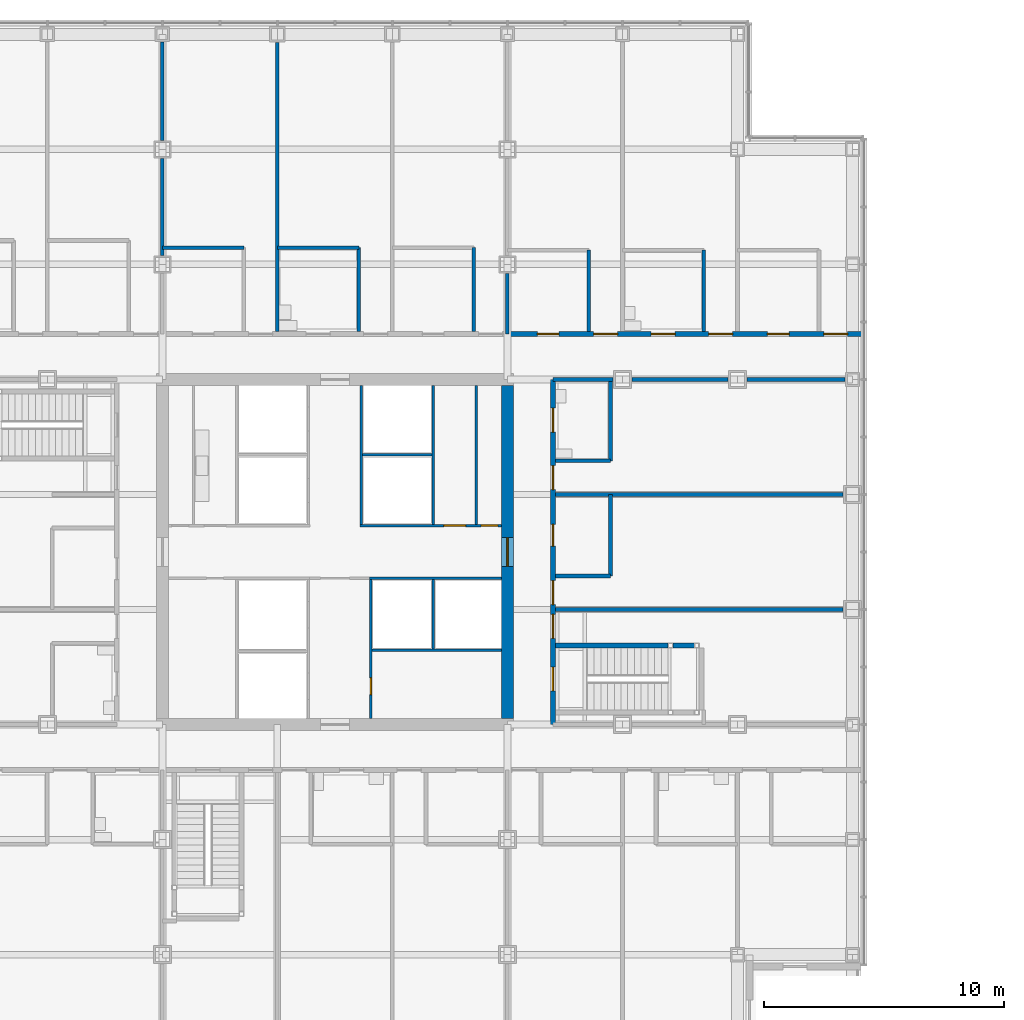
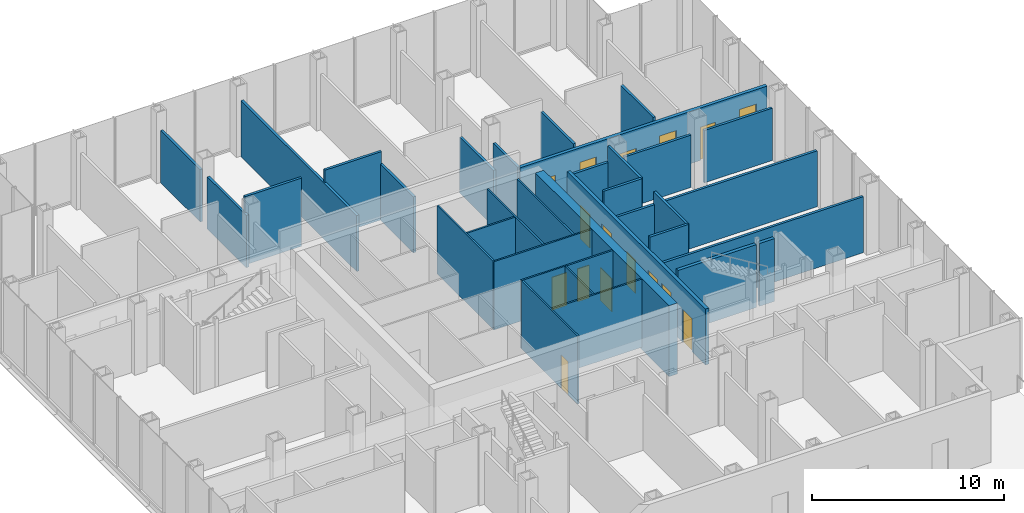
# One storey, part 19 of 24: 33 walls, 16 doors, 16 openings.
"""IFC4 building model written with IfcOpenShell, lengths in metres."""

from ifc_helpers import new_model, si_unit, direction, frame, frame_2d, origin, place, context, subcontext, project, spatial, rectangle, extrude, material, layer, layer_set, type_object, element, fill, save


model = new_model("IFC4")

# Units and contexts
model_context = context("Model", 3, precision=1e-05, world=origin(), true_north=direction((0.0, 1.0)))
body_context = subcontext(model_context, "Body", "Model", "MODEL_VIEW")
ifc_project = project(units=[si_unit("LENGTHUNIT", "METRE"), si_unit("AREAUNIT", "SQUARE_METRE"), si_unit("VOLUMEUNIT", "CUBIC_METRE"), si_unit("PLANEANGLEUNIT", "RADIAN"), si_unit("MASSUNIT", "GRAM", prefix="KILO")], contexts=[model_context])

# Site, building, storey
site_placement = place(None, origin())
site = spatial("IfcSite", under=ifc_project, at=site_placement, CompositionType="ELEMENT")
building_placement = place(site_placement, origin())
building = spatial("IfcBuilding", under=site, at=building_placement, Name="Kvirike Care Tower", CompositionType="ELEMENT")
storey_placement = place(building_placement, frame((0.0, 0.0, 22.5)))
storey = spatial("IfcBuildingStorey", under=building, at=storey_placement, Name="L05", CompositionType="ELEMENT", Elevation=22.5)

# Walls
ifc_material_1 = material(Name="Plasterboard partition", Category="gypsum")
ifc_layer_1 = layer(ifc_material_1, 0.14990234375)
ifc_layer_set_1 = layer_set([ifc_layer_1], Name="CLINIC PARTITION 150")
wall_type_1 = type_object("IfcWallType", Name="CLINIC PARTITION 150", PredefinedType="PARTITIONING", material=ifc_layer_set_1)
for number, where, z_axis, x_axis, name in (
    (1, (27.39990234375, 48.699951171875, 0.0), (0.0, 0.0, 1.0), (0.0, -1.0, 0.0), "Clinic Partition 150 L05"),
    (2, (22.60009765625, 48.699951171875, 0.0), (0.0, 0.0, 1.0), (0.0, -1.0, 0.0), "Clinic Partition 150 L05"),
):
    element("IfcWall", number, at=place(storey_placement, frame(where, z_axis=z_axis, x_axis=x_axis)), inside=storey, type_object=wall_type_1, Name=name, PredefinedType="PARTITIONING", context=body_context, shape_type="SweptSolid", body=[
        extrude(rectangle(XDim=3.5, YDim=0.14990234375, at=frame_2d((1.75, 0.0))), origin(), (0.0, 0.0, 1.0), 3.550048828125),
    ])
for number, where, z_axis, x_axis, name in (
    (3, (22.60009765625, 48.699951171875, 0.0), (0.0, 0.0, 1.0), (-1.0, 0.0, 0.0), "Clinic Partition 150 L05"),
    (4, (17.800048828125, 48.699951171875, 0.0), (0.0, 0.0, 1.0), (-1.0, 0.0, 0.0), "Clinic Partition 150 L05"),
):
    element("IfcWall", number, at=place(storey_placement, frame(where, z_axis=z_axis, x_axis=x_axis)), inside=storey, type_object=wall_type_1, Name=name, PredefinedType="PARTITIONING", context=body_context, shape_type="SweptSolid", body=[
        extrude(rectangle(XDim=3.400146484375, YDim=0.14990234375, at=frame_2d((1.7001953125, 0.0))), origin(), (0.0, 0.0, 1.0), 4.330078125),
    ])
wall_1_placement = place(storey_placement, frame((19.199951171875, 57.2548828125, 0.0), z_axis=(0.0, 0.0, 1.0), x_axis=(0.0, -1.0, 0.0)))
element("IfcWall", 5, at=wall_1_placement, inside=storey, type_object=wall_type_1, Name="Clinic Partition 150 L05", PredefinedType="PARTITIONING", context=body_context, shape_type="SweptSolid", body=[
    extrude(rectangle(XDim=12.054931640625, YDim=0.14990234375, at=frame_2d((6.02734375, 0.0))), origin(), (0.0, 0.0, 1.0), 3.550048828125),
])
wall_2_placement = place(storey_placement, frame((33.10009765625, 35.0, 0.0), z_axis=(0.0, 0.0, 1.0), x_axis=(-1.0, 0.0, 0.0)))
element("IfcWall", 6, at=wall_2_placement, inside=storey, type_object=wall_type_1, Name="Clinic Partition 150 L05", PredefinedType="PARTITIONING", context=body_context, shape_type="SweptSolid", body=[
    extrude(rectangle(XDim=2.300048828125, YDim=0.14990234375, at=frame_2d((1.14990234375, 0.0))), origin(), (0.0, 0.0, 1.0), 4.330078125),
])
wall_3_placement = place(storey_placement, frame((33.10009765625, 35.0, 0.0), z_axis=(0.0, 0.0, 1.0), x_axis=(0.0, 1.0, 0.0)))
element("IfcWall", 7, at=wall_3_placement, inside=storey, type_object=wall_type_1, Name="Clinic Partition 150 L05", PredefinedType="PARTITIONING", context=body_context, shape_type="SweptSolid", body=[
    extrude(rectangle(XDim=3.39990234375, YDim=0.14990234375, at=frame_2d((1.699951171875, 0.0))), origin(), (0.0, 0.0, 1.0), 4.330078125),
])
wall_4_placement = place(storey_placement, frame((33.10009765625, 39.800048828125, 0.0), z_axis=(0.0, 0.0, 1.0), x_axis=(-1.0, 0.0, 0.0)))
element("IfcWall", 8, at=wall_4_placement, inside=storey, type_object=wall_type_1, Name="Clinic Partition 150 L05", PredefinedType="PARTITIONING", context=body_context, shape_type="SweptSolid", body=[
    extrude(rectangle(XDim=2.300048828125, YDim=0.14990234375, at=frame_2d((1.14990234375, 0.0))), origin(), (0.0, 0.0, 1.0), 4.330078125),
])
wall_5_placement = place(storey_placement, frame((33.10009765625, 39.800048828125, 0.0), z_axis=(0.0, 0.0, 1.0), x_axis=(0.0, 1.0, 0.0)))
element("IfcWall", 9, at=wall_5_placement, inside=storey, type_object=wall_type_1, Name="Clinic Partition 150 L05", PredefinedType="PARTITIONING", context=body_context, shape_type="SweptSolid", body=[
    extrude(rectangle(XDim=3.39990234375, YDim=0.14990234375, at=frame_2d((1.699951171875, 0.0))), origin(), (0.0, 0.0, 1.0), 4.330078125),
])
for number, where, z_axis, x_axis, name in (
    (10, (42.804931640625, 33.60009765625, 0.0), (0.0, 0.0, 1.0), (-1.0, 0.0, 0.0), "Clinic Partition 150 L05"),
    (11, (42.804931640625, 38.39990234375, 0.0), (0.0, 0.0, 1.0), (-1.0, 0.0, 0.0), "Clinic Partition 150 L05"),
):
    element("IfcWall", number, at=place(storey_placement, frame(where, z_axis=z_axis, x_axis=x_axis)), inside=storey, type_object=wall_type_1, Name=name, PredefinedType="PARTITIONING", context=body_context, shape_type="SweptSolid", body=[
        extrude(rectangle(XDim=12.0048828125, YDim=0.14990234375, at=frame_2d((6.00244140625, 0.0))), origin(), (0.0, 0.0, 1.0), 3.550048828125),
    ])
for number, where, z_axis, x_axis, name in (
    (12, (37.0, 48.60009765625, 0.0), (0.0, 0.0, 1.0), (0.0, -1.0, 0.0), "Clinic Partition 150 L05"),
    (13, (32.199951171875, 48.60009765625, 0.0), (0.0, 0.0, 1.0), (0.0, -1.0, 0.0), "Clinic Partition 150 L05"),
):
    element("IfcWall", number, at=place(storey_placement, frame(where, z_axis=z_axis, x_axis=x_axis)), inside=storey, type_object=wall_type_1, Name=name, PredefinedType="PARTITIONING", context=body_context, shape_type="SweptSolid", body=[
        extrude(rectangle(XDim=3.400146484375, YDim=0.14990234375, at=frame_2d((1.7001953125, 0.0))), origin(), (0.0, 0.0, 1.0), 3.550048828125),
    ])
wall_6_placement = place(storey_placement, frame((14.39990234375, 48.3701171875, 0.0), z_axis=(0.0, 0.0, 1.0), x_axis=(0.0, 1.0, 0.0)))
element("IfcWall", 14, at=wall_6_placement, inside=storey, type_object=wall_type_1, Name="Clinic Partition 150 L05", PredefinedType="PARTITIONING", context=body_context, shape_type="SweptSolid", body=[
    extrude(rectangle(XDim=4.059814453125, YDim=0.14990234375, at=frame_2d((2.02978515625, 0.0))), origin(), (0.0, 0.0, 1.0), 3.320068359375),
])
wall_7_placement = place(storey_placement, frame((14.39990234375, 53.169921875, 0.0), z_axis=(0.0, 0.0, 1.0), x_axis=(0.0, 1.0, 0.0)))
element("IfcWall", 15, at=wall_7_placement, inside=storey, type_object=wall_type_1, Name="Clinic Partition 150 L05", PredefinedType="PARTITIONING", context=body_context, shape_type="SweptSolid", body=[
    extrude(rectangle(XDim=4.110107421875, YDim=0.14990234375, at=frame_2d((2.05517578125, 0.0))), origin(), (0.0, 0.0, 1.0), 3.320068359375),
])
wall_8_placement = place(storey_placement, frame((28.800048828125, 45.10009765625, 0.0), z_axis=(0.0, 0.0, 1.0), x_axis=(0.0, 1.0, 0.0)))
element("IfcWall", 16, at=wall_8_placement, inside=storey, type_object=wall_type_1, Name="Clinic Partition 150 L05", PredefinedType="PARTITIONING", context=body_context, shape_type="SweptSolid", body=[
    extrude(rectangle(XDim=2.52978515625, YDim=0.14990234375, at=frame_2d((1.264892578125, 0.0))), origin(), (0.0, 0.0, 1.0), 3.320068359375),
])
wall_9_placement = place(storey_placement, frame((42.8798828125, 43.199951171875, 0.0), z_axis=(0.0, 0.0, 1.0), x_axis=(-1.0, 0.0, 0.0)))
element("IfcWall", 17, at=wall_9_placement, inside=storey, type_object=wall_type_1, Name="Clinic Partition 150 L05", PredefinedType="PARTITIONING", context=body_context, shape_type="SweptSolid", body=[
    extrude(rectangle(XDim=4.0849609375, YDim=0.14990234375, at=frame_2d((2.04248046875, 0.0))), origin(), (0.0, 0.0, 1.0), 3.320068359375),
])
wall_10_placement = place(storey_placement, frame((38.0048828125, 43.199951171875, 0.0), z_axis=(0.0, 0.0, 1.0), x_axis=(-1.0, 0.0, 0.0)))
element("IfcWall", 18, at=wall_10_placement, inside=storey, type_object=wall_type_1, Name="Clinic Partition 150 L05", PredefinedType="PARTITIONING", context=body_context, shape_type="SweptSolid", body=[
    extrude(rectangle(XDim=4.009765625, YDim=0.14990234375, at=frame_2d((2.0048828125, 0.0))), origin(), (0.0, 0.0, 1.0), 3.320068359375),
])
wall_11_placement = place(storey_placement, frame((33.205078125, 43.199951171875, 0.0), z_axis=(0.0, 0.0, 1.0), x_axis=(-1.0, 0.0, 0.0)))
element("IfcWall", 19, at=wall_11_placement, inside=storey, type_object=wall_type_1, Name="Clinic Partition 150 L05", PredefinedType="PARTITIONING", context=body_context, shape_type="SweptSolid", body=[
    extrude(rectangle(XDim=2.505126953125, YDim=0.14990234375, at=frame_2d((1.25244140625, 0.0))), origin(), (0.0, 0.0, 1.0), 3.320068359375),
])

# Wall, opening, door
ifc_material_2 = material(Name="Concrete C60/75", Category="concrete")
ifc_layer_2 = layer(ifc_material_2, 0.5)
ifc_layer_set_2 = layer_set([ifc_layer_2], Name="CORE WALL 500 C60-75")
wall_type_2 = type_object("IfcWallType", Name="CORE WALL 500 C60-75", PredefinedType="SHEAR", material=ifc_layer_set_2)
wall_12_placement = place(storey_placement, frame((28.800048828125, 29.050048828125, -0.169921875), z_axis=(0.0, 0.0, 1.0), x_axis=(0.0, 1.0, 0.0)))
wall_12 = element("IfcWall", 20, at=wall_12_placement, inside=storey, type_object=wall_type_2, Name="Core wall E L05", PredefinedType="SHEAR", context=body_context, shape_type="SweptSolid", body=[
    extrude(rectangle(XDim=13.89990234375, YDim=0.5, at=frame_2d((6.949951171875, 0.0))), origin(), (0.0, 0.0, 1.0), 4.5),
])
opening_1_placement = place(wall_12_placement, frame((6.35009765625, 0.0, 0.169921875)))
opening_1 = element("IfcOpeningElement", 21, at=opening_1_placement, cuts=wall_12, Name="Opening 05-062", PredefinedType="OPENING", context=body_context, shape_type="SweptSolid", body=[
    extrude(rectangle(XDim=1.199951171875, YDim=2.10009765625, at=frame_2d((0.60009765625, 1.050048828125))), frame((0.0, 0.260498046875, 0.0), z_axis=(0.0, -1.0, 0.0), x_axis=(1.0, 0.0, 0.0)), (0.0, 0.0, 1.0), 0.52099609375),
])
ifc_material_3 = material(Name="Timber door set", Category="wood")
door_type_1 = type_object("IfcDoorType", Name="CORE DOOR 1200", OperationType="SINGLE_SWING_LEFT", PredefinedType="DOOR", material=ifc_material_3)
door_1_placement = place(opening_1_placement, origin())
door_1 = element("IfcDoor", 22, at=door_1_placement, inside=storey, type_object=door_type_1, Name="Core door E L05", OperationType="SINGLE_SWING_LEFT", OverallHeight=2.10009765625, OverallWidth=1.199951171875, PredefinedType="DOOR", context=body_context, shape_type="SweptSolid", body=[
    extrude(rectangle(XDim=1.199951171875, YDim=2.10009765625, at=frame_2d((0.60009765625, 1.050048828125))), frame((0.0, 0.02685546875, 0.0), z_axis=(0.0, -1.0, 0.0), x_axis=(1.0, 0.0, 0.0)), (0.0, 0.0, 1.0), 0.053955078125),
])
fill(opening_1, door_1)

# Wall, openings, doors
ifc_material_4 = material(Name="Plasterboard corridor wall", Category="gypsum")
ifc_layer_3 = layer(ifc_material_4, 0.199951171875)
ifc_layer_set_3 = layer_set([ifc_layer_3], Name="CORRIDOR WALL 200")
wall_type_3 = type_object("IfcWallType", Name="CORRIDOR WALL 200", PredefinedType="PARTITIONING", material=ifc_layer_set_3)
wall_13_placement = place(storey_placement, frame((30.699951171875, 28.800048828125, 0.0), z_axis=(0.0, 0.0, 1.0), x_axis=(0.0, 1.0, 0.0)))
wall_13 = element("IfcWall", 23, at=wall_13_placement, inside=storey, type_object=wall_type_3, Name="Corridor Wall 200 L05", PredefinedType="PARTITIONING", context=body_context, shape_type="SweptSolid", body=[
    extrude(rectangle(XDim=14.39990234375, YDim=0.199951171875, at=frame_2d((7.199951171875, 0.0))), origin(), (0.0, 0.0, 1.0), 3.550048828125),
])
opening_2_placement = place(wall_13_placement, frame((1.39990234375, 0.0, 0.0)))
opening_2 = element("IfcOpeningElement", 24, at=opening_2_placement, cuts=wall_13, Name="Opening 05-035", PredefinedType="OPENING", context=body_context, shape_type="SweptSolid", body=[
    extrude(rectangle(XDim=1.0, YDim=2.10009765625, at=frame_2d((0.5, 1.050048828125))), frame((0.0, 0.110595703125, 0.0), z_axis=(0.0, -1.0, 0.0), x_axis=(1.0, 0.0, 0.0)), (0.0, 0.0, 1.0), 0.220947265625),
])
opening_3_placement = place(wall_13_placement, frame((3.60009765625, 0.0, 0.0)))
opening_3 = element("IfcOpeningElement", 25, at=opening_3_placement, cuts=wall_13, Name="Opening 05-036", PredefinedType="OPENING", context=body_context, shape_type="SweptSolid", body=[
    extrude(rectangle(XDim=1.0, YDim=2.39990234375, at=frame_2d((0.5, 1.199951171875))), frame((0.0, 0.110595703125, 0.0), z_axis=(0.0, -1.0, 0.0), x_axis=(1.0, 0.0, 0.0)), (0.0, 0.0, 1.0), 0.220947265625),
])
opening_4_placement = place(wall_13_placement, frame((5.0, 0.0, 0.0)))
opening_4 = element("IfcOpeningElement", 26, at=opening_4_placement, cuts=wall_13, Name="Opening 05-037", PredefinedType="OPENING", context=body_context, shape_type="SweptSolid", body=[
    extrude(rectangle(XDim=1.0, YDim=2.39990234375, at=frame_2d((0.5, 1.199951171875))), frame((0.0, 0.110595703125, 0.0), z_axis=(0.0, -1.0, 0.0), x_axis=(1.0, 0.0, 0.0)), (0.0, 0.0, 1.0), 0.220947265625),
])
opening_5_placement = place(wall_13_placement, frame((9.800048828125, 0.0, 0.0)))
opening_5 = element("IfcOpeningElement", 27, at=opening_5_placement, cuts=wall_13, Name="Opening 05-038", PredefinedType="OPENING", context=body_context, shape_type="SweptSolid", body=[
    extrude(rectangle(XDim=1.0, YDim=2.39990234375, at=frame_2d((0.5, 1.199951171875))), frame((0.0, 0.110595703125, 0.0), z_axis=(0.0, -1.0, 0.0), x_axis=(1.0, 0.0, 0.0)), (0.0, 0.0, 1.0), 0.220947265625),
])
opening_6_placement = place(wall_13_placement, frame((7.449951171875, 0.0, 0.0)))
opening_6 = element("IfcOpeningElement", 28, at=opening_6_placement, cuts=wall_13, Name="Opening 05-039", PredefinedType="OPENING", context=body_context, shape_type="SweptSolid", body=[
    extrude(rectangle(XDim=0.89990234375, YDim=2.10009765625, at=frame_2d((0.449951171875, 1.050048828125))), frame((0.0, 0.110595703125, 0.0), z_axis=(0.0, -1.0, 0.0), x_axis=(1.0, 0.0, 0.0)), (0.0, 0.0, 1.0), 0.220947265625),
])
opening_7_placement = place(wall_13_placement, frame((12.199951171875, 0.0, 0.0)))
opening_7 = element("IfcOpeningElement", 29, at=opening_7_placement, cuts=wall_13, Name="Opening 05-040", PredefinedType="OPENING", context=body_context, shape_type="SweptSolid", body=[
    extrude(rectangle(XDim=1.0, YDim=2.10009765625, at=frame_2d((0.5, 1.050048828125))), frame((0.0, 0.110595703125, 0.0), z_axis=(0.0, -1.0, 0.0), x_axis=(1.0, 0.0, 0.0)), (0.0, 0.0, 1.0), 0.220947265625),
])
ifc_material_5 = material(Name="Timber door set", Category="wood")
door_type_2 = type_object("IfcDoorType", Name="CONSULTING ROOM DOOR 1000", OperationType="SINGLE_SWING_LEFT", PredefinedType="DOOR", material=ifc_material_5)
door_2_placement = place(opening_3_placement, frame((1.0, 0.0, 0.0), z_axis=(0.0, 0.0, 1.0), x_axis=(-1.0, 0.0, 0.0)))
door_2 = element("IfcDoor", 30, at=door_2_placement, inside=storey, type_object=door_type_2, Name="Art studio door", OperationType="SINGLE_SWING_LEFT", OverallHeight=2.39990234375, OverallWidth=1.0, PredefinedType="DOOR", context=body_context, shape_type="SweptSolid", body=[
    extrude(rectangle(XDim=1.0, YDim=2.39990234375, at=frame_2d((0.5, 1.199951171875))), frame((0.0, 0.02685546875, 0.0), z_axis=(0.0, -1.0, 0.0), x_axis=(1.0, 0.0, 0.0)), (0.0, 0.0, 1.0), 0.053955078125),
])
fill(opening_3, door_2)
door_3_placement = place(opening_4_placement, frame((1.0, 0.0, 0.0), z_axis=(0.0, 0.0, 1.0), x_axis=(-1.0, 0.0, 0.0)))
door_3 = element("IfcDoor", 31, at=door_3_placement, inside=storey, type_object=door_type_2, Name="Art studio door", OperationType="SINGLE_SWING_LEFT", OverallHeight=2.39990234375, OverallWidth=1.0, PredefinedType="DOOR", context=body_context, shape_type="SweptSolid", body=[
    extrude(rectangle(XDim=1.0, YDim=2.39990234375, at=frame_2d((0.5, 1.199951171875))), frame((0.0, 0.02685546875, 0.0), z_axis=(0.0, -1.0, 0.0), x_axis=(1.0, 0.0, 0.0)), (0.0, 0.0, 1.0), 0.053955078125),
])
fill(opening_4, door_3)
door_4_placement = place(opening_5_placement, frame((1.0, 0.0, 0.0), z_axis=(0.0, 0.0, 1.0), x_axis=(-1.0, 0.0, 0.0)))
door_4 = element("IfcDoor", 32, at=door_4_placement, inside=storey, type_object=door_type_2, Name="Workshop door", OperationType="SINGLE_SWING_LEFT", OverallHeight=2.39990234375, OverallWidth=1.0, PredefinedType="DOOR", context=body_context, shape_type="SweptSolid", body=[
    extrude(rectangle(XDim=1.0, YDim=2.39990234375, at=frame_2d((0.5, 1.199951171875))), frame((0.0, 0.02685546875, 0.0), z_axis=(0.0, -1.0, 0.0), x_axis=(1.0, 0.0, 0.0)), (0.0, 0.0, 1.0), 0.053955078125),
])
fill(opening_5, door_4)
ifc_material_6 = material(Name="Timber door set", Category="wood")
door_type_3 = type_object("IfcDoorType", Name="STAIR DOOR 1000", OperationType="SINGLE_SWING_LEFT", PredefinedType="DOOR", material=ifc_material_6)
door_5_placement = place(opening_2_placement, frame((1.0, 0.0, 0.0), z_axis=(0.0, 0.0, 1.0), x_axis=(-1.0, 0.0, 0.0)))
door_5 = element("IfcDoor", 33, at=door_5_placement, inside=storey, type_object=door_type_3, Name="Stair 2 door", OperationType="SINGLE_SWING_LEFT", OverallHeight=2.10009765625, OverallWidth=1.0, PredefinedType="DOOR", context=body_context, shape_type="SweptSolid", body=[
    extrude(rectangle(XDim=1.0, YDim=2.10009765625, at=frame_2d((0.5, 1.050048828125))), frame((0.0, 0.031982421875, 0.0), z_axis=(0.0, -1.0, 0.0), x_axis=(1.0, 0.0, 0.0)), (0.0, 0.0, 1.0), 0.06396484375),
])
fill(opening_2, door_5)
ifc_material_7 = material(Name="Timber door set", Category="wood")
door_type_4 = type_object("IfcDoorType", Name="STORE DOOR 900", OperationType="SINGLE_SWING_LEFT", PredefinedType="DOOR", material=ifc_material_7)
door_6_placement = place(opening_6_placement, frame((0.89990234375, 0.0, 0.0), z_axis=(0.0, 0.0, 1.0), x_axis=(-1.0, 0.0, 0.0)))
door_6 = element("IfcDoor", 34, at=door_6_placement, inside=storey, type_object=door_type_4, Name="Store door", OperationType="SINGLE_SWING_RIGHT", OverallHeight=2.10009765625, OverallWidth=0.89990234375, PredefinedType="DOOR", context=body_context, shape_type="SweptSolid", body=[
    extrude(rectangle(XDim=0.89990234375, YDim=2.10009765625, at=frame_2d((0.449951171875, 1.050048828125))), frame((0.0, 0.02685546875, 0.0), z_axis=(0.0, -1.0, 0.0), x_axis=(1.0, 0.0, 0.0)), (0.0, 0.0, 1.0), 0.053955078125),
])
fill(opening_6, door_6)
ifc_material_8 = material(Name="Timber door set", Category="wood")
door_type_5 = type_object("IfcDoorType", Name="WC DOOR 1000", OperationType="SINGLE_SWING_LEFT", PredefinedType="DOOR", material=ifc_material_8)
door_7_placement = place(opening_7_placement, frame((1.0, 0.0, 0.0), z_axis=(0.0, 0.0, 1.0), x_axis=(-1.0, 0.0, 0.0)))
door_7 = element("IfcDoor", 35, at=door_7_placement, inside=storey, type_object=door_type_5, Name="Staff WC door", OperationType="SINGLE_SWING_RIGHT", OverallHeight=2.10009765625, OverallWidth=1.0, PredefinedType="DOOR", context=body_context, shape_type="SweptSolid", body=[
    extrude(rectangle(XDim=1.0, YDim=2.10009765625, at=frame_2d((0.5, 1.050048828125))), frame((0.0, 0.02685546875, 0.0), z_axis=(0.0, -1.0, 0.0), x_axis=(1.0, 0.0, 0.0)), (0.0, 0.0, 1.0), 0.053955078125),
])
fill(opening_7, door_7)

wall_14_placement = place(storey_placement, frame((43.655029296875, 45.10009765625, 0.0), z_axis=(0.0, 0.0, 1.0), x_axis=(-1.0, 0.0, 0.0)))
wall_14 = element("IfcWall", 36, at=wall_14_placement, inside=storey, type_object=wall_type_3, Name="Corridor Wall 200 L05", PredefinedType="PARTITIONING", context=body_context, shape_type="SweptSolid", body=[
    extrude(rectangle(XDim=14.85498046875, YDim=0.199951171875, at=frame_2d((7.427490234375, 0.0))), origin(), (0.0, 0.0, 1.0), 3.320068359375),
])
opening_8_placement = place(wall_14_placement, frame((0.655029296875, 0.0, 0.0)))
opening_8 = element("IfcOpeningElement", 37, at=opening_8_placement, cuts=wall_14, Name="Opening 05-041", PredefinedType="OPENING", context=body_context, shape_type="SweptSolid", body=[
    extrude(rectangle(XDim=1.0, YDim=2.39990234375, at=frame_2d((0.5, 1.199951171875))), frame((0.0, 0.110595703125, 0.0), z_axis=(0.0, -1.0, 0.0), x_axis=(1.0, 0.0, 0.0)), (0.0, 0.0, 1.0), 0.220947265625),
])
opening_9_placement = place(wall_14_placement, frame((5.455078125, 0.0, 0.0)))
opening_9 = element("IfcOpeningElement", 38, at=opening_9_placement, cuts=wall_14, Name="Opening 05-042", PredefinedType="OPENING", context=body_context, shape_type="SweptSolid", body=[
    extrude(rectangle(XDim=1.0, YDim=2.39990234375, at=frame_2d((0.5, 1.199951171875))), frame((0.0, 0.110595703125, 0.0), z_axis=(0.0, -1.0, 0.0), x_axis=(1.0, 0.0, 0.0)), (0.0, 0.0, 1.0), 0.220947265625),
])
opening_10_placement = place(wall_14_placement, frame((10.2548828125, 0.0, 0.0)))
opening_10 = element("IfcOpeningElement", 39, at=opening_10_placement, cuts=wall_14, Name="Opening 05-043", PredefinedType="OPENING", context=body_context, shape_type="SweptSolid", body=[
    extrude(rectangle(XDim=1.0, YDim=2.39990234375, at=frame_2d((0.5, 1.199951171875))), frame((0.0, 0.110595703125, 0.0), z_axis=(0.0, -1.0, 0.0), x_axis=(1.0, 0.0, 0.0)), (0.0, 0.0, 1.0), 0.220947265625),
])
opening_11_placement = place(wall_14_placement, frame((3.10498046875, 0.0, 0.0)))
opening_11 = element("IfcOpeningElement", 40, at=opening_11_placement, cuts=wall_14, Name="Opening 05-044", PredefinedType="OPENING", context=body_context, shape_type="SweptSolid", body=[
    extrude(rectangle(XDim=0.89990234375, YDim=2.10009765625, at=frame_2d((0.449951171875, 1.050048828125))), frame((0.0, 0.110595703125, 0.0), z_axis=(0.0, -1.0, 0.0), x_axis=(1.0, 0.0, 0.0)), (0.0, 0.0, 1.0), 0.220947265625),
])
opening_12_placement = place(wall_14_placement, frame((7.85498046875, 0.0, 0.0)))
opening_12 = element("IfcOpeningElement", 41, at=opening_12_placement, cuts=wall_14, Name="Opening 05-045", PredefinedType="OPENING", context=body_context, shape_type="SweptSolid", body=[
    extrude(rectangle(XDim=1.0, YDim=2.10009765625, at=frame_2d((0.5, 1.050048828125))), frame((0.0, 0.110595703125, 0.0), z_axis=(0.0, -1.0, 0.0), x_axis=(1.0, 0.0, 0.0)), (0.0, 0.0, 1.0), 0.220947265625),
])
opening_13_placement = place(wall_14_placement, frame((12.705078125, 0.0, 0.0)))
opening_13 = element("IfcOpeningElement", 42, at=opening_13_placement, cuts=wall_14, Name="Opening 05-046", PredefinedType="OPENING", context=body_context, shape_type="SweptSolid", body=[
    extrude(rectangle(XDim=0.89990234375, YDim=2.10009765625, at=frame_2d((0.449951171875, 1.050048828125))), frame((0.0, 0.110595703125, 0.0), z_axis=(0.0, -1.0, 0.0), x_axis=(1.0, 0.0, 0.0)), (0.0, 0.0, 1.0), 0.220947265625),
])
door_8_placement = place(opening_8_placement, frame((1.0, 0.0, 0.0), z_axis=(0.0, 0.0, 1.0), x_axis=(-1.0, 0.0, 0.0)))
door_8 = element("IfcDoor", 43, at=door_8_placement, inside=storey, type_object=door_type_2, Name="Wellness treatment room door", OperationType="SINGLE_SWING_RIGHT", OverallHeight=2.39990234375, OverallWidth=1.0, PredefinedType="DOOR", context=body_context, shape_type="SweptSolid", body=[
    extrude(rectangle(XDim=1.0, YDim=2.39990234375, at=frame_2d((0.5, 1.199951171875))), frame((0.0, 0.02685546875, 0.0), z_axis=(0.0, -1.0, 0.0), x_axis=(1.0, 0.0, 0.0)), (0.0, 0.0, 1.0), 0.053955078125),
])
fill(opening_8, door_8)
door_9_placement = place(opening_9_placement, frame((1.0, 0.0, 0.0), z_axis=(0.0, 0.0, 1.0), x_axis=(-1.0, 0.0, 0.0)))
door_9 = element("IfcDoor", 44, at=door_9_placement, inside=storey, type_object=door_type_2, Name="Wellness treatment room door", OperationType="SINGLE_SWING_LEFT", OverallHeight=2.39990234375, OverallWidth=1.0, PredefinedType="DOOR", context=body_context, shape_type="SweptSolid", body=[
    extrude(rectangle(XDim=1.0, YDim=2.39990234375, at=frame_2d((0.5, 1.199951171875))), frame((0.0, 0.02685546875, 0.0), z_axis=(0.0, -1.0, 0.0), x_axis=(1.0, 0.0, 0.0)), (0.0, 0.0, 1.0), 0.053955078125),
])
fill(opening_9, door_9)
door_10_placement = place(opening_10_placement, frame((1.0, 0.0, 0.0), z_axis=(0.0, 0.0, 1.0), x_axis=(-1.0, 0.0, 0.0)))
door_10 = element("IfcDoor", 45, at=door_10_placement, inside=storey, type_object=door_type_2, Name="Wellness office door", OperationType="SINGLE_SWING_LEFT", OverallHeight=2.39990234375, OverallWidth=1.0, PredefinedType="DOOR", context=body_context, shape_type="SweptSolid", body=[
    extrude(rectangle(XDim=1.0, YDim=2.39990234375, at=frame_2d((0.5, 1.199951171875))), frame((0.0, 0.02685546875, 0.0), z_axis=(0.0, -1.0, 0.0), x_axis=(1.0, 0.0, 0.0)), (0.0, 0.0, 1.0), 0.053955078125),
])
fill(opening_10, door_10)
door_11_placement = place(opening_11_placement, frame((0.89990234375, 0.0, 0.0), z_axis=(0.0, 0.0, 1.0), x_axis=(-1.0, 0.0, 0.0)))
door_11 = element("IfcDoor", 46, at=door_11_placement, inside=storey, type_object=door_type_4, Name="Store door", OperationType="SINGLE_SWING_LEFT", OverallHeight=2.10009765625, OverallWidth=0.89990234375, PredefinedType="DOOR", context=body_context, shape_type="SweptSolid", body=[
    extrude(rectangle(XDim=0.89990234375, YDim=2.10009765625, at=frame_2d((0.449951171875, 1.050048828125))), frame((0.0, 0.02685546875, 0.0), z_axis=(0.0, -1.0, 0.0), x_axis=(1.0, 0.0, 0.0)), (0.0, 0.0, 1.0), 0.053955078125),
])
fill(opening_11, door_11)
door_12_placement = place(opening_13_placement, frame((0.89990234375, 0.0, 0.0), z_axis=(0.0, 0.0, 1.0), x_axis=(-1.0, 0.0, 0.0)))
door_12 = element("IfcDoor", 47, at=door_12_placement, inside=storey, type_object=door_type_4, Name="Store door", OperationType="SINGLE_SWING_RIGHT", OverallHeight=2.10009765625, OverallWidth=0.89990234375, PredefinedType="DOOR", context=body_context, shape_type="SweptSolid", body=[
    extrude(rectangle(XDim=0.89990234375, YDim=2.10009765625, at=frame_2d((0.449951171875, 1.050048828125))), frame((0.0, 0.02685546875, 0.0), z_axis=(0.0, -1.0, 0.0), x_axis=(1.0, 0.0, 0.0)), (0.0, 0.0, 1.0), 0.053955078125),
])
fill(opening_13, door_12)
door_13_placement = place(opening_12_placement, frame((1.0, 0.0, 0.0), z_axis=(0.0, 0.0, 1.0), x_axis=(-1.0, 0.0, 0.0)))
door_13 = element("IfcDoor", 48, at=door_13_placement, inside=storey, type_object=door_type_5, Name="Staff WC door", OperationType="SINGLE_SWING_RIGHT", OverallHeight=2.10009765625, OverallWidth=1.0, PredefinedType="DOOR", context=body_context, shape_type="SweptSolid", body=[
    extrude(rectangle(XDim=1.0, YDim=2.10009765625, at=frame_2d((0.5, 1.050048828125))), frame((0.0, 0.02685546875, 0.0), z_axis=(0.0, -1.0, 0.0), x_axis=(1.0, 0.0, 0.0)), (0.0, 0.0, 1.0), 0.053955078125),
])
fill(opening_12, door_13)

# Walls
ifc_material_9 = material(Name="Gypsum shaft wall system", Category="gypsum")
ifc_layer_4 = layer(ifc_material_9, 0.10009765625)
ifc_layer_set_4 = layer_set([ifc_layer_4], Name="SHAFT WALL 100")
wall_type_4 = type_object("IfcWallType", Name="SHAFT WALL 100", PredefinedType="SOLIDWALL", material=ifc_layer_set_4)
for number, where, z_axis, x_axis, name in (
    (49, (27.5, 37.14990234375, 0.0), (0.0, 0.0, 1.0), (0.0, 1.0, 0.0), "Shaft Wall 100 L05"),
    (50, (22.699951171875, 37.14990234375, 0.0), (0.0, 0.0, 1.0), (0.0, 1.0, 0.0), "Shaft Wall 100 L05"),
):
    element("IfcWall", number, at=place(storey_placement, frame(where, z_axis=z_axis, x_axis=x_axis)), inside=storey, type_object=wall_type_4, Name=name, PredefinedType="SOLIDWALL", context=body_context, shape_type="SweptSolid", body=[
        extrude(rectangle(XDim=5.800048828125, YDim=0.10009765625, at=frame_2d((2.89990234375, 0.0))), origin(), (0.0, 0.0, 1.0), 4.330078125),
    ])

# Wall, opening, door
wall_15_placement = place(storey_placement, frame((23.10009765625, 29.050048828125, 0.0), z_axis=(0.0, 0.0, 1.0), x_axis=(0.0, 1.0, 0.0)))
wall_15 = element("IfcWall", 51, at=wall_15_placement, inside=storey, type_object=wall_type_4, Name="Shaft Wall 100 L05", PredefinedType="SOLIDWALL", context=body_context, shape_type="SweptSolid", body=[
    extrude(rectangle(XDim=5.800048828125, YDim=0.10009765625, at=frame_2d((2.89990234375, 0.0))), origin(), (0.0, 0.0, 1.0), 4.330078125),
])
opening_14_placement = place(wall_15_placement, frame((1.0, 0.0, 0.0)))
opening_14 = element("IfcOpeningElement", 52, at=opening_14_placement, cuts=wall_15, Name="Opening 05-053", PredefinedType="OPENING", context=body_context, shape_type="SweptSolid", body=[
    extrude(rectangle(XDim=0.699951171875, YDim=2.10009765625, at=frame_2d((0.35009765625, 1.050048828125))), frame((0.0, 0.060546875, 0.0), z_axis=(0.0, -1.0, 0.0), x_axis=(1.0, 0.0, 0.0)), (0.0, 0.0, 1.0), 0.12109375),
])
ifc_material_10 = material(Name="Timber door set", Category="wood")
door_type_6 = type_object("IfcDoorType", Name="RISER DOOR 700", OperationType="SINGLE_SWING_LEFT", PredefinedType="DOOR", material=ifc_material_10)
door_14_placement = place(opening_14_placement, origin())
door_14 = element("IfcDoor", 53, at=door_14_placement, inside=storey, type_object=door_type_6, Name="Riser door", OperationType="SINGLE_SWING_RIGHT", OverallHeight=2.10009765625, OverallWidth=0.699951171875, PredefinedType="DOOR", context=body_context, shape_type="SweptSolid", body=[
    extrude(rectangle(XDim=0.699951171875, YDim=2.10009765625, at=frame_2d((0.35009765625, 1.050048828125))), frame((0.0, 0.02685546875, 0.0), z_axis=(0.0, -1.0, 0.0), x_axis=(1.0, 0.0, 0.0)), (0.0, 0.0, 1.0), 0.053955078125),
])
fill(opening_14, door_14)

# Wall
wall_16_placement = place(storey_placement, frame((23.050048828125, 34.89990234375, 0.0), z_axis=(0.0, 0.0, 1.0), x_axis=(1.0, 0.0, 0.0)))
element("IfcWall", 54, at=wall_16_placement, inside=storey, type_object=wall_type_4, Name="Shaft Wall 100 L05", PredefinedType="SOLIDWALL", context=body_context, shape_type="SweptSolid", body=[
    extrude(rectangle(XDim=5.5, YDim=0.10009765625, at=frame_2d((2.75, 0.0))), origin(), (0.0, 0.0, 1.0), 4.330078125),
])

# Wall, openings, doors
wall_17_placement = place(storey_placement, frame((22.64990234375, 37.10009765625, 0.0), z_axis=(0.0, 0.0, 1.0), x_axis=(1.0, 0.0, 0.0)))
wall_17 = element("IfcWall", 55, at=wall_17_placement, inside=storey, type_object=wall_type_4, Name="Shaft Wall 100 L05", PredefinedType="SOLIDWALL", context=body_context, shape_type="SweptSolid", body=[
    extrude(rectangle(XDim=5.900146484375, YDim=0.10009765625, at=frame_2d((2.9501953125, 0.0))), origin(), (0.0, 0.0, 1.0), 4.330078125),
])
opening_15_placement = place(wall_17_placement, frame((3.5, 0.0, 0.0)))
opening_15 = element("IfcOpeningElement", 56, at=opening_15_placement, cuts=wall_17, Name="Opening 05-057", PredefinedType="OPENING", context=body_context, shape_type="SweptSolid", body=[
    extrude(rectangle(XDim=0.89990234375, YDim=2.10009765625, at=frame_2d((0.449951171875, 1.050048828125))), frame((0.0, 0.060546875, 0.0), z_axis=(0.0, -1.0, 0.0), x_axis=(1.0, 0.0, 0.0)), (0.0, 0.0, 1.0), 0.12109375),
])
opening_16_placement = place(wall_17_placement, frame((5.050048828125, 0.0, 0.0)))
opening_16 = element("IfcOpeningElement", 57, at=opening_16_placement, cuts=wall_17, Name="Opening 05-058", PredefinedType="OPENING", context=body_context, shape_type="SweptSolid", body=[
    extrude(rectangle(XDim=0.699951171875, YDim=2.10009765625, at=frame_2d((0.35009765625, 1.050048828125))), frame((0.0, 0.060546875, 0.0), z_axis=(0.0, -1.0, 0.0), x_axis=(1.0, 0.0, 0.0)), (0.0, 0.0, 1.0), 0.12109375),
])
door_15_placement = place(opening_16_placement, origin())
door_15 = element("IfcDoor", 58, at=door_15_placement, inside=storey, type_object=door_type_6, Name="Riser door", OperationType="SINGLE_SWING_LEFT", OverallHeight=2.10009765625, OverallWidth=0.699951171875, PredefinedType="DOOR", context=body_context, shape_type="SweptSolid", body=[
    extrude(rectangle(XDim=0.699951171875, YDim=2.10009765625, at=frame_2d((0.35009765625, 1.050048828125))), frame((0.0, 0.02685546875, 0.0), z_axis=(0.0, -1.0, 0.0), x_axis=(1.0, 0.0, 0.0)), (0.0, 0.0, 1.0), 0.053955078125),
])
fill(opening_16, door_15)
door_16_placement = place(opening_15_placement, origin())
door_16 = element("IfcDoor", 59, at=door_16_placement, inside=storey, type_object=door_type_4, Name="Cleaners store door", OperationType="SINGLE_SWING_LEFT", OverallHeight=2.10009765625, OverallWidth=0.89990234375, PredefinedType="DOOR", context=body_context, shape_type="SweptSolid", body=[
    extrude(rectangle(XDim=0.89990234375, YDim=2.10009765625, at=frame_2d((0.449951171875, 1.050048828125))), frame((0.0, 0.02685546875, 0.0), z_axis=(0.0, -1.0, 0.0), x_axis=(1.0, 0.0, 0.0)), (0.0, 0.0, 1.0), 0.053955078125),
])
fill(opening_15, door_16)

# Walls
wall_18_placement = place(storey_placement, frame((22.75, 40.050048828125, 0.0), z_axis=(0.0, 0.0, 1.0), x_axis=(1.0, 0.0, 0.0)))
element("IfcWall", 60, at=wall_18_placement, inside=storey, type_object=wall_type_4, Name="Shaft Wall 100 L05", PredefinedType="SOLIDWALL", context=body_context, shape_type="SweptSolid", body=[
    extrude(rectangle(XDim=2.89990234375, YDim=0.10009765625, at=frame_2d((1.449951171875, 0.0))), origin(), (0.0, 0.0, 1.0), 4.330078125),
])
wall_19_placement = place(storey_placement, frame((25.699951171875, 37.14990234375, 0.0), z_axis=(0.0, 0.0, 1.0), x_axis=(0.0, 1.0, 0.0)))
element("IfcWall", 61, at=wall_19_placement, inside=storey, type_object=wall_type_4, Name="Shaft Wall 100 L05", PredefinedType="SOLIDWALL", context=body_context, shape_type="SweptSolid", body=[
    extrude(rectangle(XDim=5.800048828125, YDim=0.10009765625, at=frame_2d((2.89990234375, 0.0))), origin(), (0.0, 0.0, 1.0), 4.330078125),
])
wall_20_placement = place(storey_placement, frame((25.699951171875, 31.949951171875, 0.0), z_axis=(0.0, 0.0, 1.0), x_axis=(0.0, 1.0, 0.0)))
element("IfcWall", 62, at=wall_20_placement, inside=storey, type_object=wall_type_4, Name="Shaft Wall 100 L05", PredefinedType="SOLIDWALL", context=body_context, shape_type="SweptSolid", body=[
    extrude(rectangle(XDim=2.900146484375, YDim=0.10009765625, at=frame_2d((1.4501953125, 0.0))), origin(), (0.0, 0.0, 1.0), 4.330078125),
])
wall_21_placement = place(storey_placement, frame((23.14990234375, 31.89990234375, 0.0), z_axis=(0.0, 0.0, 1.0), x_axis=(1.0, 0.0, 0.0)))
element("IfcWall", 63, at=wall_21_placement, inside=storey, type_object=wall_type_4, Name="Shaft Wall 100 L05", PredefinedType="SOLIDWALL", context=body_context, shape_type="SweptSolid", body=[
    extrude(rectangle(XDim=5.400146484375, YDim=0.10009765625, at=frame_2d((2.7001953125, 0.0))), origin(), (0.0, 0.0, 1.0), 4.330078125),
])
ifc_material_11 = material(Name="Concrete C40/50", Category="concrete")
ifc_layer_5 = layer(ifc_material_11, 0.199951171875)
ifc_layer_set_5 = layer_set([ifc_layer_5], Name="STAIR WALL 200")
wall_type_5 = type_object("IfcWallType", Name="STAIR WALL 200", PredefinedType="SOLIDWALL", material=ifc_layer_set_5)
wall_22_placement = place(storey_placement, frame((36.60009765625, 32.10009765625, 0.0), z_axis=(0.0, 0.0, 1.0), x_axis=(-1.0, 0.0, 0.0)))
element("IfcWall", 64, at=wall_22_placement, inside=storey, type_object=wall_type_5, Name="Stair Wall 200 L05", PredefinedType="SOLIDWALL", context=body_context, shape_type="SweptSolid", body=[
    extrude(rectangle(XDim=0.900146484375, YDim=0.199951171875, at=frame_2d((0.4501953125, 0.0))), origin(), (0.0, 0.0, 1.0), 3.989990234375),
])
wall_23_placement = place(storey_placement, frame((35.5, 32.10009765625, 0.0), z_axis=(0.0, 0.0, 1.0), x_axis=(-1.0, 0.0, 0.0)))
element("IfcWall", 65, at=wall_23_placement, inside=storey, type_object=wall_type_5, Name="Stair Wall 200 L05", PredefinedType="SOLIDWALL", context=body_context, shape_type="SweptSolid", body=[
    extrude(rectangle(XDim=4.699951171875, YDim=0.199951171875, at=frame_2d((2.35009765625, 0.0))), origin(), (0.0, 0.0, 1.0), 3.989990234375),
])

save(model, "model.ifc")
